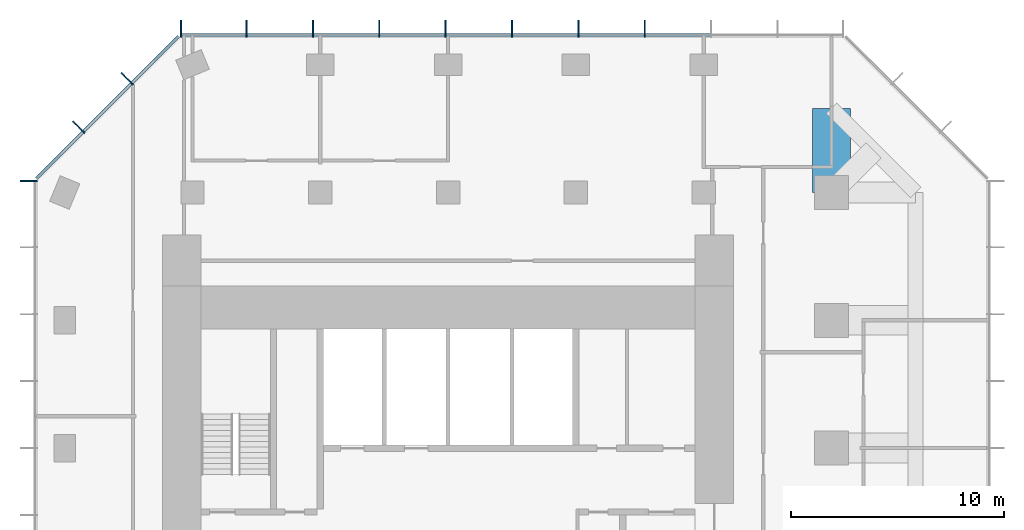
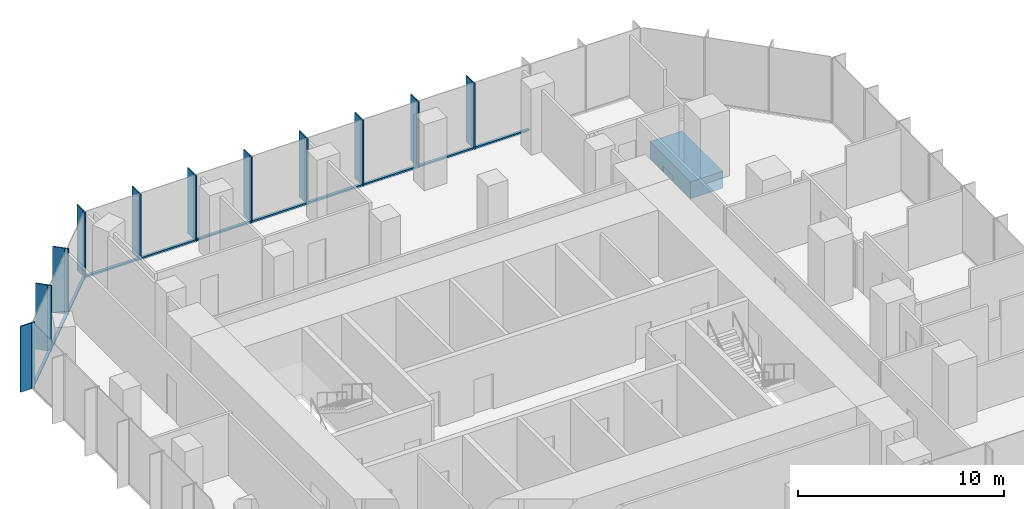
# One storey, part 5 of 11: 33 members, 1 beam, 3 elements without a shape of their own.
"""IFC4 building model written with IfcOpenShell, lengths in metres."""

from ifc_helpers import new_model, si_unit, direction, frame, origin, origin_2d, place, context, subcontext, project, spatial, rectangle, extrude, material, layer, layer_set, material_profile, profile_set, type_object, element, aggregate, save


model = new_model("IFC4")

# Units and contexts
model_context = context("Model", 3, precision=1e-05, world=origin(), true_north=direction((0.0, 1.0)))
body_context = subcontext(model_context, "Body", "Model", "MODEL_VIEW")
ifc_project = project(units=[si_unit("LENGTHUNIT", "METRE"), si_unit("AREAUNIT", "SQUARE_METRE"), si_unit("VOLUMEUNIT", "CUBIC_METRE"), si_unit("PLANEANGLEUNIT", "RADIAN"), si_unit("MASSUNIT", "GRAM", prefix="KILO")], contexts=[model_context])

# Site, building, storey
site_placement = place(None, origin())
site = spatial("IfcSite", under=ifc_project, at=site_placement, CompositionType="ELEMENT")
building_placement = place(site_placement, origin())
building = spatial("IfcBuilding", under=site, at=building_placement, Name="Highveld Stack Headquarters", CompositionType="ELEMENT")
storey_placement = place(building_placement, frame((0.0, 0.0, 260.60009765625)))
storey = spatial("IfcBuildingStorey", under=building, at=storey_placement, Name="L64", CompositionType="ELEMENT", Elevation=260.60009765625)

# Beam
ifc_material_1 = material(Name="Concrete C60/75", Category="concrete")
ifc_material_profile_1 = material_profile(ifc_material_1, rectangle(XDim=1.800048828125, YDim=1.0, at=origin_2d()), Name="RC 1800x1000")
ifc_profile_set_1 = profile_set([ifc_material_profile_1], Name="Concrete C60/75")
beam_type = type_object("IfcBeamType", Name="CANTILEVER RIB RC 1800x1000", PredefinedType="USERDEFINED", material=ifc_profile_set_1)
beam_placement = place(storey_placement, frame((24.0, 18.0, -0.75), z_axis=(0.0, 1.0, 0.0), x_axis=(-1.0, 0.0, 0.0)))
element("IfcBeam", 1, at=beam_placement, inside=storey, type_object=beam_type, Name="Cantilever rib 10/H L64", ObjectType="CANTILEVER RIB", PredefinedType="USERDEFINED", context=body_context, shape_type="SweptSolid", body=[
    extrude(rectangle(XDim=1.800048828125, YDim=1.0, at=origin_2d()), origin(), (0.0, 0.0, 1.0), 3.949951171875),
])

# Curtain wall, members
ifc_material_2 = material(Name="Aluminium bronze anodised", Category="aluminium")
ifc_layer = layer(ifc_material_2, 0.199951171875)
ifc_layer_set = layer_set([ifc_layer], Name="Aluminium bronze anodised")
curtain_wall_type = type_object("IfcCurtainWallType", Name="CW5 EXECUTIVE UNITISED CURTAIN WALL", PredefinedType="NOTDEFINED", material=ifc_layer_set)
curtain_wall_1_placement = place(storey_placement, origin())
curtain_wall_1 = element("IfcCurtainWall", 2, at=curtain_wall_1_placement, inside=storey, type_object=curtain_wall_type, Name="Curtain wall CW5 L64 N", PredefinedType="NOTDEFINED")
ifc_material_3 = material(Name="Aluminium bronze anodised", Category="aluminium")
ifc_material_profile_2 = material_profile(ifc_material_3, rectangle(XDim=0.60009765625, YDim=0.06005859375, at=origin_2d()), Name="FIN 600x60")
ifc_profile_set_2 = profile_set([ifc_material_profile_2], Name="Aluminium bronze anodised")
member_type_1 = type_object("IfcMemberType", Name="CW5 BRONZE FIN 600x60", PredefinedType="USERDEFINED", material=ifc_profile_set_2)
member_1_placement = place(storey_placement, frame((15.23193359375, 25.800048828125, 0.0), z_axis=(0.0, 0.0, 1.0), x_axis=(0.0, -1.0, 0.0)))
member_1 = element("IfcMember", 3, at=member_1_placement, type_object=member_type_1, Name="CW5 fin L64 4", ObjectType="FIN", PredefinedType="USERDEFINED", context=body_context, shape_type="SweptSolid", body=[
    extrude(rectangle(XDim=0.60009765625, YDim=0.06005859375, at=origin_2d()), origin(), (0.0, 0.0, 1.0), 3.89990234375),
])
member_2_placement = place(storey_placement, frame((12.115966796875, 25.800048828125, 0.0), z_axis=(0.0, 0.0, 1.0), x_axis=(0.0, -1.0, 0.0)))
member_2 = element("IfcMember", 4, at=member_2_placement, type_object=member_type_1, Name="CW5 fin L64 5", ObjectType="FIN", PredefinedType="USERDEFINED", context=body_context, shape_type="SweptSolid", body=[
    extrude(rectangle(XDim=0.60009765625, YDim=0.06005859375, at=origin_2d()), origin(), (0.0, 0.0, 1.0), 3.89990234375),
])
member_3_placement = place(storey_placement, frame((9.0, 25.800048828125, 0.0), z_axis=(0.0, 0.0, 1.0), x_axis=(0.0, -1.0, 0.0)))
member_3 = element("IfcMember", 5, at=member_3_placement, type_object=member_type_1, Name="CW5 fin L64 6", ObjectType="FIN", PredefinedType="USERDEFINED", context=body_context, shape_type="SweptSolid", body=[
    extrude(rectangle(XDim=0.60009765625, YDim=0.06005859375, at=origin_2d()), origin(), (0.0, 0.0, 1.0), 3.89990234375),
])
member_4_placement = place(storey_placement, frame((5.884033203125, 25.800048828125, 0.0), z_axis=(0.0, 0.0, 1.0), x_axis=(0.0, -1.0, 0.0)))
member_4 = element("IfcMember", 6, at=member_4_placement, type_object=member_type_1, Name="CW5 fin L64 7", ObjectType="FIN", PredefinedType="USERDEFINED", context=body_context, shape_type="SweptSolid", body=[
    extrude(rectangle(XDim=0.60009765625, YDim=0.06005859375, at=origin_2d()), origin(), (0.0, 0.0, 1.0), 3.89990234375),
])
member_5_placement = place(storey_placement, frame((2.76806640625, 25.800048828125, 0.0), z_axis=(0.0, 0.0, 1.0), x_axis=(0.0, -1.0, 0.0)))
member_5 = element("IfcMember", 7, at=member_5_placement, type_object=member_type_1, Name="CW5 fin L64 8", ObjectType="FIN", PredefinedType="USERDEFINED", context=body_context, shape_type="SweptSolid", body=[
    extrude(rectangle(XDim=0.60009765625, YDim=0.06005859375, at=origin_2d()), origin(), (0.0, 0.0, 1.0), 3.89990234375),
])
member_6_placement = place(storey_placement, frame((-0.347900390625, 25.800048828125, 0.0), z_axis=(0.0, 0.0, 1.0), x_axis=(0.0, -1.0, 0.0)))
member_6 = element("IfcMember", 8, at=member_6_placement, type_object=member_type_1, Name="CW5 fin L64 9", ObjectType="FIN", PredefinedType="USERDEFINED", context=body_context, shape_type="SweptSolid", body=[
    extrude(rectangle(XDim=0.60009765625, YDim=0.06005859375, at=origin_2d()), origin(), (0.0, 0.0, 1.0), 3.89990234375),
])
member_7_placement = place(storey_placement, frame((-3.4638671875, 25.800048828125, 0.0), z_axis=(0.0, 0.0, 1.0), x_axis=(0.0, -1.0, 0.0)))
member_7 = element("IfcMember", 9, at=member_7_placement, type_object=member_type_1, Name="CW5 fin L64 10", ObjectType="FIN", PredefinedType="USERDEFINED", context=body_context, shape_type="SweptSolid", body=[
    extrude(rectangle(XDim=0.60009765625, YDim=0.06005859375, at=origin_2d()), origin(), (0.0, 0.0, 1.0), 3.89990234375),
])
member_8_placement = place(storey_placement, frame((-6.54736328125, 25.800048828125, 0.0), z_axis=(0.0, 0.0, 1.0), x_axis=(0.0, -1.0, 0.0)))
member_8 = element("IfcMember", 10, at=member_8_placement, type_object=member_type_1, Name="CW5 fin L64 11", ObjectType="FIN", PredefinedType="USERDEFINED", context=body_context, shape_type="SweptSolid", body=[
    extrude(rectangle(XDim=0.60009765625, YDim=0.06005859375, at=origin_2d()), origin(), (0.0, 0.0, 1.0), 3.89990234375),
])

curtain_wall_2_placement = place(storey_placement, origin())
curtain_wall_2 = element("IfcCurtainWall", 11, at=curtain_wall_2_placement, inside=storey, type_object=curtain_wall_type, Name="Curtain wall CW5 L64 NW", PredefinedType="NOTDEFINED")
member_9_placement = place(storey_placement, frame((-9.135986328125, 23.409423828125, 0.0), z_axis=(0.0, 0.0, 1.0), x_axis=(0.707106781187, -0.707106781187, 0.0)))
member_9 = element("IfcMember", 12, at=member_9_placement, type_object=member_type_1, Name="CW5 fin L64 1", ObjectType="FIN", PredefinedType="USERDEFINED", context=body_context, shape_type="SweptSolid", body=[
    extrude(rectangle(XDim=0.60009765625, YDim=0.06005859375, at=origin_2d()), origin(), (0.0, 0.0, 1.0), 3.89990234375),
])
member_10_placement = place(storey_placement, frame((-11.409423828125, 21.135986328125, 0.0), z_axis=(0.0, 0.0, 1.0), x_axis=(0.707106781187, -0.707106781187, 0.0)))
member_10 = element("IfcMember", 13, at=member_10_placement, type_object=member_type_1, Name="CW5 fin L64 2", ObjectType="FIN", PredefinedType="USERDEFINED", context=body_context, shape_type="SweptSolid", body=[
    extrude(rectangle(XDim=0.60009765625, YDim=0.06005859375, at=origin_2d()), origin(), (0.0, 0.0, 1.0), 3.89990234375),
])

# Curtain wall, member
curtain_wall_3_placement = place(storey_placement, origin())
curtain_wall_3 = element("IfcCurtainWall", 14, at=curtain_wall_3_placement, inside=storey, type_object=curtain_wall_type, Name="Curtain wall CW5 L64 W", PredefinedType="NOTDEFINED")
member_11_placement = place(storey_placement, frame((-13.800048828125, 18.54736328125, 0.0), z_axis=(0.0, 0.0, 1.0), x_axis=(1.0, 0.0, 0.0)))
member_11 = element("IfcMember", 15, at=member_11_placement, type_object=member_type_1, Name="CW5 fin L64 1", ObjectType="FIN", PredefinedType="USERDEFINED", context=body_context, shape_type="SweptSolid", body=[
    extrude(rectangle(XDim=0.60009765625, YDim=0.06005859375, at=origin_2d()), origin(), (0.0, 0.0, 1.0), 3.89990234375),
])

# Member
ifc_material_4 = material(Name="Aluminium bronze anodised", Category="aluminium")
ifc_material_profile_3 = material_profile(ifc_material_4, rectangle(XDim=0.199951171875, YDim=0.06494140625, at=origin_2d()), Name="CW5 MULLION 65x200")
ifc_profile_set_3 = profile_set([ifc_material_profile_3], Name="Aluminium bronze anodised")
member_type_2 = type_object("IfcMemberType", Name="CW5 MULLION 65x200", PredefinedType="MULLION", material=ifc_profile_set_3)
member_12_placement = place(storey_placement, frame((15.23193359375, 25.39990234375, 0.0), z_axis=(0.0, 0.0, 1.0), x_axis=(0.0, -1.0, 0.0)))
member_12 = element("IfcMember", 16, at=member_12_placement, type_object=member_type_2, Name="CW5 mullion L64 4", PredefinedType="MULLION", context=body_context, shape_type="SweptSolid", body=[
    extrude(rectangle(XDim=0.199951171875, YDim=0.06494140625, at=origin_2d()), origin(), (0.0, 0.0, 1.0), 3.89990234375),
])

member_13_placement = place(storey_placement, frame((12.115966796875, 25.39990234375, 0.0), z_axis=(0.0, 0.0, 1.0), x_axis=(0.0, -1.0, 0.0)))
member_13 = element("IfcMember", 17, at=member_13_placement, type_object=member_type_2, Name="CW5 mullion L64 5", PredefinedType="MULLION", context=body_context, shape_type="SweptSolid", body=[
    extrude(rectangle(XDim=0.199951171875, YDim=0.06494140625, at=origin_2d()), origin(), (0.0, 0.0, 1.0), 3.89990234375),
])

member_14_placement = place(storey_placement, frame((9.0, 25.39990234375, 0.0), z_axis=(0.0, 0.0, 1.0), x_axis=(0.0, -1.0, 0.0)))
member_14 = element("IfcMember", 18, at=member_14_placement, type_object=member_type_2, Name="CW5 mullion L64 6", PredefinedType="MULLION", context=body_context, shape_type="SweptSolid", body=[
    extrude(rectangle(XDim=0.199951171875, YDim=0.06494140625, at=origin_2d()), origin(), (0.0, 0.0, 1.0), 3.89990234375),
])

member_15_placement = place(storey_placement, frame((5.884033203125, 25.39990234375, 0.0), z_axis=(0.0, 0.0, 1.0), x_axis=(0.0, -1.0, 0.0)))
member_15 = element("IfcMember", 19, at=member_15_placement, type_object=member_type_2, Name="CW5 mullion L64 7", PredefinedType="MULLION", context=body_context, shape_type="SweptSolid", body=[
    extrude(rectangle(XDim=0.199951171875, YDim=0.06494140625, at=origin_2d()), origin(), (0.0, 0.0, 1.0), 3.89990234375),
])

member_16_placement = place(storey_placement, frame((2.76806640625, 25.39990234375, 0.0), z_axis=(0.0, 0.0, 1.0), x_axis=(0.0, -1.0, 0.0)))
member_16 = element("IfcMember", 20, at=member_16_placement, type_object=member_type_2, Name="CW5 mullion L64 8", PredefinedType="MULLION", context=body_context, shape_type="SweptSolid", body=[
    extrude(rectangle(XDim=0.199951171875, YDim=0.06494140625, at=origin_2d()), origin(), (0.0, 0.0, 1.0), 3.89990234375),
])

member_17_placement = place(storey_placement, frame((-0.347900390625, 25.39990234375, 0.0), z_axis=(0.0, 0.0, 1.0), x_axis=(0.0, -1.0, 0.0)))
member_17 = element("IfcMember", 21, at=member_17_placement, type_object=member_type_2, Name="CW5 mullion L64 9", PredefinedType="MULLION", context=body_context, shape_type="SweptSolid", body=[
    extrude(rectangle(XDim=0.199951171875, YDim=0.06494140625, at=origin_2d()), origin(), (0.0, 0.0, 1.0), 3.89990234375),
])

member_18_placement = place(storey_placement, frame((-3.4638671875, 25.39990234375, 0.0), z_axis=(0.0, 0.0, 1.0), x_axis=(0.0, -1.0, 0.0)))
member_18 = element("IfcMember", 22, at=member_18_placement, type_object=member_type_2, Name="CW5 mullion L64 10", PredefinedType="MULLION", context=body_context, shape_type="SweptSolid", body=[
    extrude(rectangle(XDim=0.199951171875, YDim=0.06494140625, at=origin_2d()), origin(), (0.0, 0.0, 1.0), 3.89990234375),
])

member_19_placement = place(storey_placement, frame((-6.54736328125, 25.39990234375, 0.0), z_axis=(0.0, 0.0, 1.0), x_axis=(0.0, -1.0, 0.0)))
member_19 = element("IfcMember", 23, at=member_19_placement, type_object=member_type_2, Name="CW5 mullion L64 11", PredefinedType="MULLION", context=body_context, shape_type="SweptSolid", body=[
    extrude(rectangle(XDim=0.199951171875, YDim=0.06494140625, at=origin_2d()), origin(), (0.0, 0.0, 1.0), 3.89990234375),
])

member_20_placement = place(storey_placement, frame((-8.853271484375, 23.126708984375, 0.0), z_axis=(0.0, 0.0, 1.0), x_axis=(0.707106781187, -0.707106781187, 0.0)))
member_20 = element("IfcMember", 24, at=member_20_placement, type_object=member_type_2, Name="CW5 mullion L64 1", PredefinedType="MULLION", context=body_context, shape_type="SweptSolid", body=[
    extrude(rectangle(XDim=0.199951171875, YDim=0.06494140625, at=origin_2d()), origin(), (0.0, 0.0, 1.0), 3.89990234375),
])

member_21_placement = place(storey_placement, frame((-11.126708984375, 20.853271484375, 0.0), z_axis=(0.0, 0.0, 1.0), x_axis=(0.707106781187, -0.707106781187, 0.0)))
member_21 = element("IfcMember", 25, at=member_21_placement, type_object=member_type_2, Name="CW5 mullion L64 2", PredefinedType="MULLION", context=body_context, shape_type="SweptSolid", body=[
    extrude(rectangle(XDim=0.199951171875, YDim=0.06494140625, at=origin_2d()), origin(), (0.0, 0.0, 1.0), 3.89990234375),
])

member_22_placement = place(storey_placement, frame((-13.39990234375, 18.54736328125, 0.0), z_axis=(0.0, 0.0, 1.0), x_axis=(1.0, 0.0, 0.0)))
member_22 = element("IfcMember", 26, at=member_22_placement, type_object=member_type_2, Name="CW5 mullion L64 1", PredefinedType="MULLION", context=body_context, shape_type="SweptSolid", body=[
    extrude(rectangle(XDim=0.199951171875, YDim=0.06494140625, at=origin_2d()), origin(), (0.0, 0.0, 1.0), 3.89990234375),
])

aggregate(curtain_wall_3, [member_22, member_11])

ifc_material_5 = material(Name="Aluminium bronze anodised", Category="aluminium")
ifc_material_profile_4 = material_profile(ifc_material_5, rectangle(XDim=0.14990234375, YDim=0.10009765625, at=origin_2d()), Name="CW5 TRANSOM 150x100")
ifc_profile_set_4 = profile_set([ifc_material_profile_4], Name="Aluminium bronze anodised")
member_type_3 = type_object("IfcMemberType", Name="CW5 STACK TRANSOM 150x100", PredefinedType="USERDEFINED", material=ifc_profile_set_4)
member_23_placement = place(storey_placement, frame((18.3154296875, 25.39990234375, 0.0498046875), z_axis=(-1.0, 0.0, 0.0), x_axis=(0.0, -1.0, 0.0)))
member_23 = element("IfcMember", 27, at=member_23_placement, type_object=member_type_3, Name="CW5 transom L64 3.1", ObjectType="TRANSOM", PredefinedType="USERDEFINED", context=body_context, shape_type="SweptSolid", body=[
    extrude(rectangle(XDim=0.14990234375, YDim=0.10009765625, at=origin_2d()), origin(), (0.0, 0.0, 1.0), 3.051025390625),
])

member_24_placement = place(storey_placement, frame((15.199462890625, 25.39990234375, 0.0498046875), z_axis=(-1.0, 0.0, 0.0), x_axis=(0.0, -1.0, 0.0)))
member_24 = element("IfcMember", 28, at=member_24_placement, type_object=member_type_3, Name="CW5 transom L64 4.1", ObjectType="TRANSOM", PredefinedType="USERDEFINED", context=body_context, shape_type="SweptSolid", body=[
    extrude(rectangle(XDim=0.14990234375, YDim=0.10009765625, at=origin_2d()), origin(), (0.0, 0.0, 1.0), 3.051025390625),
])

member_25_placement = place(storey_placement, frame((12.08349609375, 25.39990234375, 0.0498046875), z_axis=(-1.0, 0.0, 0.0), x_axis=(0.0, -1.0, 0.0)))
member_25 = element("IfcMember", 29, at=member_25_placement, type_object=member_type_3, Name="CW5 transom L64 5.1", ObjectType="TRANSOM", PredefinedType="USERDEFINED", context=body_context, shape_type="SweptSolid", body=[
    extrude(rectangle(XDim=0.14990234375, YDim=0.10009765625, at=origin_2d()), origin(), (0.0, 0.0, 1.0), 3.051025390625),
])

member_26_placement = place(storey_placement, frame((8.967529296875, 25.39990234375, 0.0498046875), z_axis=(-1.0, 0.0, 0.0), x_axis=(0.0, -1.0, 0.0)))
member_26 = element("IfcMember", 30, at=member_26_placement, type_object=member_type_3, Name="CW5 transom L64 6.1", ObjectType="TRANSOM", PredefinedType="USERDEFINED", context=body_context, shape_type="SweptSolid", body=[
    extrude(rectangle(XDim=0.14990234375, YDim=0.10009765625, at=origin_2d()), origin(), (0.0, 0.0, 1.0), 3.051025390625),
])

member_27_placement = place(storey_placement, frame((5.8515625, 25.39990234375, 0.0498046875), z_axis=(-1.0, 0.0, 0.0), x_axis=(0.0, -1.0, 0.0)))
member_27 = element("IfcMember", 31, at=member_27_placement, type_object=member_type_3, Name="CW5 transom L64 7.1", ObjectType="TRANSOM", PredefinedType="USERDEFINED", context=body_context, shape_type="SweptSolid", body=[
    extrude(rectangle(XDim=0.14990234375, YDim=0.10009765625, at=origin_2d()), origin(), (0.0, 0.0, 1.0), 3.051025390625),
])

member_28_placement = place(storey_placement, frame((2.735595703125, 25.39990234375, 0.0498046875), z_axis=(-1.0, 0.0, 0.0), x_axis=(0.0, -1.0, 0.0)))
member_28 = element("IfcMember", 32, at=member_28_placement, type_object=member_type_3, Name="CW5 transom L64 8.1", ObjectType="TRANSOM", PredefinedType="USERDEFINED", context=body_context, shape_type="SweptSolid", body=[
    extrude(rectangle(XDim=0.14990234375, YDim=0.10009765625, at=origin_2d()), origin(), (0.0, 0.0, 1.0), 3.051025390625),
])

member_29_placement = place(storey_placement, frame((-0.38037109375, 25.39990234375, 0.0498046875), z_axis=(-1.0, 0.0, 0.0), x_axis=(0.0, -1.0, 0.0)))
member_29 = element("IfcMember", 33, at=member_29_placement, type_object=member_type_3, Name="CW5 transom L64 9.1", ObjectType="TRANSOM", PredefinedType="USERDEFINED", context=body_context, shape_type="SweptSolid", body=[
    extrude(rectangle(XDim=0.14990234375, YDim=0.10009765625, at=origin_2d()), origin(), (0.0, 0.0, 1.0), 3.051025390625),
])

member_30_placement = place(storey_placement, frame((-3.496337890625, 25.39990234375, 0.0498046875), z_axis=(-1.0, 0.0, 0.0), x_axis=(0.0, -1.0, 0.0)))
member_30 = element("IfcMember", 34, at=member_30_placement, type_object=member_type_3, Name="CW5 transom L64 10.1", ObjectType="TRANSOM", PredefinedType="USERDEFINED", context=body_context, shape_type="SweptSolid", body=[
    extrude(rectangle(XDim=0.14990234375, YDim=0.10009765625, at=origin_2d()), origin(), (0.0, 0.0, 1.0), 3.0185546875),
])

aggregate(curtain_wall_1, [member_12, member_1, member_13, member_2, member_14, member_3, member_15, member_4, member_16, member_5, member_17, member_6, member_18, member_7, member_19, member_8, member_23, member_24, member_25, member_26, member_27, member_28, member_29, member_30])

member_31_placement = place(storey_placement, frame((-6.650634765625, 25.329345703125, 0.0498046875), z_axis=(-0.707106781187, -0.707106781187, 0.0), x_axis=(0.707106781187, -0.707106781187, 0.0)))
member_31 = element("IfcMember", 35, at=member_31_placement, type_object=member_type_3, Name="CW5 transom L64 1.1", ObjectType="TRANSOM", PredefinedType="USERDEFINED", context=body_context, shape_type="SweptSolid", body=[
    extrude(rectangle(XDim=0.14990234375, YDim=0.10009765625, at=origin_2d()), origin(), (0.0, 0.0, 1.0), 3.08251953125),
])

member_32_placement = place(storey_placement, frame((-8.876220703125, 23.103759765625, 0.0498046875), z_axis=(-0.707106781187, -0.707106781187, 0.0), x_axis=(0.707106781187, -0.707106781187, 0.0)))
member_32 = element("IfcMember", 36, at=member_32_placement, type_object=member_type_3, Name="CW5 transom L64 2.1", ObjectType="TRANSOM", PredefinedType="USERDEFINED", context=body_context, shape_type="SweptSolid", body=[
    extrude(rectangle(XDim=0.14990234375, YDim=0.10009765625, at=origin_2d()), origin(), (0.0, 0.0, 1.0), 3.150146484375),
])

member_33_placement = place(storey_placement, frame((-11.149658203125, 20.830322265625, 0.0498046875), z_axis=(-0.707106781187, -0.707106781187, 0.0), x_axis=(0.707106781187, -0.707106781187, 0.0)))
member_33 = element("IfcMember", 37, at=member_33_placement, type_object=member_type_3, Name="CW5 transom L64 3.1", ObjectType="TRANSOM", PredefinedType="USERDEFINED", context=body_context, shape_type="SweptSolid", body=[
    extrude(rectangle(XDim=0.14990234375, YDim=0.10009765625, at=origin_2d()), origin(), (0.0, 0.0, 1.0), 3.08251953125),
])

aggregate(curtain_wall_2, [member_20, member_9, member_21, member_10, member_31, member_32, member_33])

save(model, "model.ifc")
